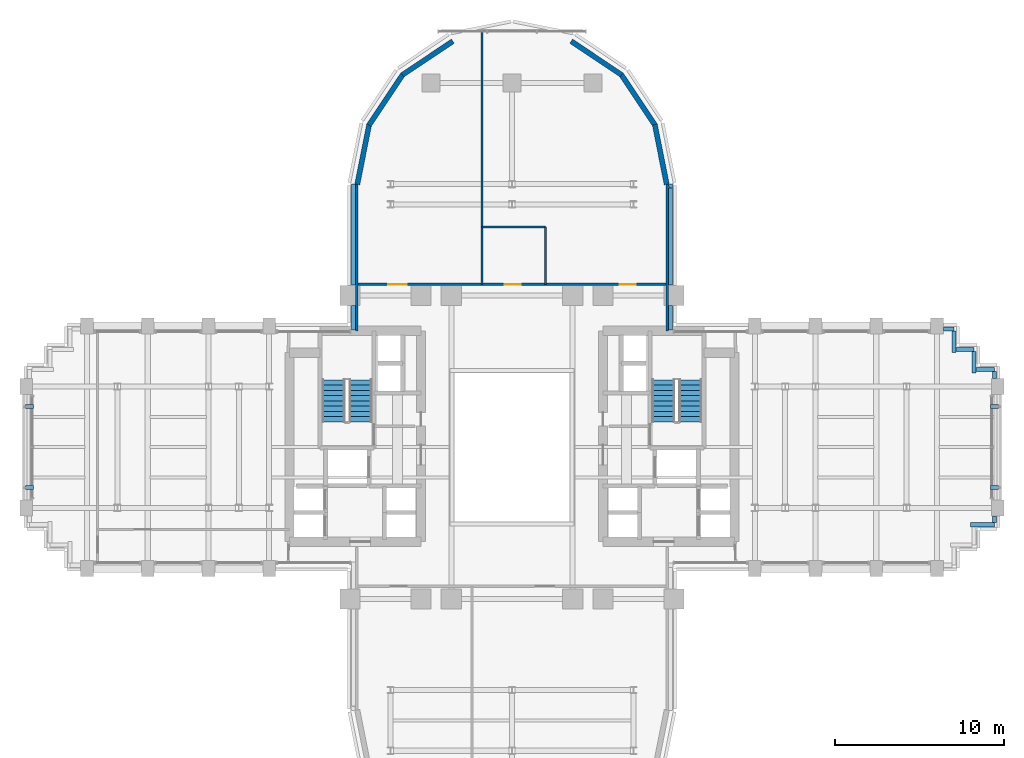
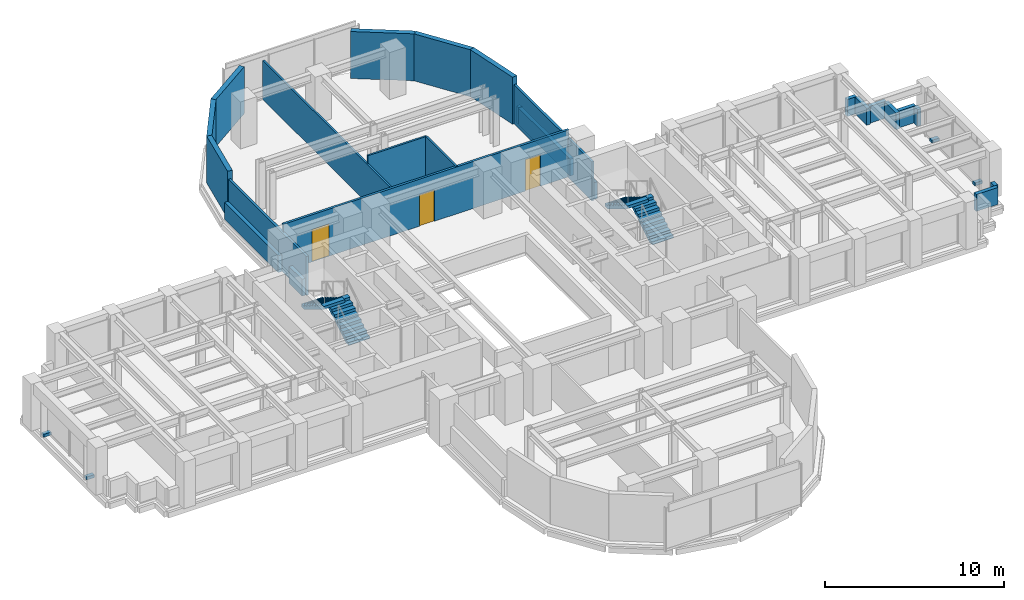
# One storey, part 12 of 16: 25 walls, 4 discrete accessories, 4 stair flights, 3 doors, 3 openings, 2 elements without a shape of their own.
"""IFC4 building model written with IfcOpenShell, lengths in metres."""

from ifc_helpers import new_model, si_unit, direction, frame, frame_2d, origin, origin_2d, place, context, subcontext, project, spatial, polyline, rectangle, outline, extrude, source, transform, mapped, material, layer, layer_set, type_object, element, fill, aggregate, save


model = new_model("IFC4")

# Units and contexts
model_context = context("Model", 3, precision=1e-05, world=origin(), true_north=direction((0.0, 1.0)))
body_context = subcontext(model_context, "Body", "Model", "MODEL_VIEW")
ifc_project = project(units=[si_unit("LENGTHUNIT", "METRE"), si_unit("AREAUNIT", "SQUARE_METRE"), si_unit("VOLUMEUNIT", "CUBIC_METRE"), si_unit("PLANEANGLEUNIT", "RADIAN"), si_unit("MASSUNIT", "GRAM", prefix="KILO")], contexts=[model_context])

# Site, building, storey
site_placement = place(None, origin())
site = spatial("IfcSite", under=ifc_project, at=site_placement, CompositionType="ELEMENT")
building_placement = place(site_placement, origin())
building = spatial("IfcBuilding", under=site, at=building_placement, Name="Keilestroom Media Tower", CompositionType="ELEMENT")
storey_placement = place(building_placement, frame((0.0, 0.0, 37.39990234375)))
storey = spatial("IfcBuildingStorey", under=building, at=storey_placement, Name="L08", CompositionType="ELEMENT", Elevation=37.39990234375)

# Walls
ifc_material_1 = material(Name="Precast concrete C40/50", Category="concrete")
ifc_layer_1 = layer(ifc_material_1, 0.300048828125)
ifc_layer_set_1 = layer_set([ifc_layer_1], Name="Precast concrete C40/50")
wall_type_1 = type_object("IfcWallType", Name="Exterior-Masonry-Spandrel-Wall-300", PredefinedType="SOLIDWALL", material=ifc_layer_set_1)
for number, where, z_axis, x_axis, name in (
    (1, (9.1748046875, 15.585205078125, 0.0), (0.0, 0.0, 1.0), (-0.195114232679, 0.980780523974, 0.0), "L08 Lobe Facet Precast Frame Wall 01"),
    (2, (8.48193359375, 19.097412109375, 0.0), (0.0, 0.0, 1.0), (-0.555574187116, 0.831466970246, 0.0), "L08 Lobe Facet Precast Frame Wall 02"),
):
    element("IfcWall", number, at=place(storey_placement, frame(where, z_axis=z_axis, x_axis=x_axis)), inside=storey, type_object=wall_type_1, Name=name, PredefinedType="SOLIDWALL", context=body_context, shape_type="SweptSolid", body=[
        extrude(rectangle(XDim=3.608642578125, YDim=0.300048828125, at=frame_2d((1.80419921875, 0.0))), origin(), (0.0, 0.0, 1.0), 3.2001953125),
    ])
for number, where, z_axis, x_axis, name in (
    (3, (6.497802734375, 22.0771484375, 0.0), (0.0, 0.0, 1.0), (-0.8314749531, 0.555562239868, 0.0), "L08 Lobe Facet Precast Frame Wall 03"),
    (4, (-3.510009765625, 24.073486328125, 0.0), (0.0, 0.0, 1.0), (-0.8314749531, -0.555562239868, 0.0), "L08 Lobe Facet Precast Frame Wall 04"),
):
    element("IfcWall", number, at=place(storey_placement, frame(where, z_axis=z_axis, x_axis=x_axis)), inside=storey, type_object=wall_type_1, Name=name, PredefinedType="SOLIDWALL", context=body_context, shape_type="SweptSolid", body=[
        extrude(rectangle(XDim=3.59326171875, YDim=0.300048828125, at=frame_2d((1.796630859375, 0.0))), origin(), (0.0, 0.0, 1.0), 3.2001953125),
    ])
for number, where, z_axis, x_axis, name in (
    (5, (-6.47705078125, 22.097900390625, 0.0), (0.0, 0.0, 1.0), (-0.555574187116, -0.831466970246, 0.0), "L08 Lobe Facet Precast Frame Wall 05"),
    (6, (-8.470703125, 19.12451171875, 0.0), (0.0, 0.0, 1.0), (-0.195114232679, -0.980780523974, 0.0), "L08 Lobe Facet Precast Frame Wall 06"),
):
    element("IfcWall", number, at=place(storey_placement, frame(where, z_axis=z_axis, x_axis=x_axis)), inside=storey, type_object=wall_type_1, Name=name, PredefinedType="SOLIDWALL", context=body_context, shape_type="SweptSolid", body=[
        extrude(rectangle(XDim=3.608642578125, YDim=0.300048828125, at=frame_2d((1.80419921875, 0.0))), origin(), (0.0, 0.0, 1.0), 3.2001953125),
    ])
ifc_material_2 = material(Name="Gypsum Plasterboard & Steel Stud", Category="steel")
ifc_layer_2 = layer(ifc_material_2, 0.1201171875)
ifc_layer_set_2 = layer_set([ifc_layer_2], Name="Gypsum Plasterboard & Steel Stud")
wall_type_2 = type_object("IfcWallType", Name="Interior-Partition-Wall-120", PredefinedType="PARTITIONING", material=ifc_layer_set_2)
wall_1_placement = place(storey_placement, frame((-1.780029296875, 9.64990234375, 0.0), z_axis=(0.0, 0.0, 1.0), x_axis=(0.0, 1.0, 0.0)))
element("IfcWall", 7, at=wall_1_placement, inside=storey, type_object=wall_type_2, Name="L08 Interior Wall WP-L08-NL-V1", PredefinedType="PARTITIONING", context=body_context, shape_type="SweptSolid", body=[
    extrude(rectangle(XDim=15.0, YDim=0.1201171875, at=frame_2d((7.5, 0.0))), origin(), (0.0, 0.0, 1.0), 2.650146484375),
])
wall_2_placement = place(storey_placement, frame((-1.780029296875, 13.050048828125, 0.0), z_axis=(0.0, 0.0, 1.0), x_axis=(1.0, 0.0, 0.0)))
element("IfcWall", 8, at=wall_2_placement, inside=storey, type_object=wall_type_2, Name="L08 Interior Wall WP-L08-NL-WC-N", PredefinedType="PARTITIONING", context=body_context, shape_type="SweptSolid", body=[
    extrude(rectangle(XDim=3.780029296875, YDim=0.1201171875, at=frame_2d((1.89013671875, 0.0))), origin(), (0.0, 0.0, 1.0), 3.2001953125),
])
wall_3_placement = place(storey_placement, frame((2.0, 9.64990234375, 0.0), z_axis=(0.0, 0.0, 1.0), x_axis=(0.0, 1.0, 0.0)))
element("IfcWall", 9, at=wall_3_placement, inside=storey, type_object=wall_type_2, Name="L08 Interior Wall WP-L08-NL-WC-E", PredefinedType="PARTITIONING", context=body_context, shape_type="SweptSolid", body=[
    extrude(rectangle(XDim=3.400146484375, YDim=0.1201171875, at=frame_2d((1.7001953125, 0.0))), origin(), (0.0, 0.0, 1.0), 3.2001953125),
])

# Wall, openings, doors
ifc_layer_3 = layer(ifc_material_2, 0.14990234375)
ifc_layer_set_3 = layer_set([ifc_layer_3], Name="Gypsum Plasterboard & Steel Stud")
wall_type_3 = type_object("IfcWallType", Name="Interior-Partition-Wall-150", PredefinedType="PARTITIONING", material=ifc_layer_set_3)
wall_4_placement = place(storey_placement, frame((-9.199951171875, 9.64990234375, 0.0), z_axis=(0.0, 0.0, 1.0), x_axis=(1.0, 0.0, 0.0)))
wall_4 = element("IfcWall", 10, at=wall_4_placement, inside=storey, type_object=wall_type_3, Name="L08 Interior Wall WP-L08-NL-BASE", PredefinedType="PARTITIONING", context=body_context, shape_type="SweptSolid", body=[
    extrude(rectangle(XDim=18.39990234375, YDim=0.14990234375, at=frame_2d((9.199951171875, 0.0))), origin(), (0.0, 0.0, 1.0), 3.2001953125),
])
opening_1_placement = place(wall_4_placement, frame((8.77001953125, 0.0, 0.0)))
opening_1 = element("IfcOpeningElement", 11, at=opening_1_placement, cuts=wall_4, Name="Opening DI-03", PredefinedType="OPENING", context=body_context, shape_type="SweptSolid", body=[
    extrude(rectangle(XDim=0.949951171875, YDim=2.14990234375, at=frame_2d((0.47509765625, 1.074951171875))), frame((0.0, 0.0849609375, 0.0), z_axis=(0.0, -1.0, 0.0), x_axis=(1.0, 0.0, 0.0)), (0.0, 0.0, 1.0), 0.169921875),
])
opening_2_placement = place(wall_4_placement, frame((1.85009765625, 0.0, 0.0)))
opening_2 = element("IfcOpeningElement", 12, at=opening_2_placement, cuts=wall_4, Name="Opening DI-04", PredefinedType="OPENING", context=body_context, shape_type="SweptSolid", body=[
    extrude(rectangle(XDim=1.10009765625, YDim=2.199951171875, at=frame_2d((0.550048828125, 1.10009765625))), frame((0.0, 0.0849609375, 0.0), z_axis=(0.0, -1.0, 0.0), x_axis=(1.0, 0.0, 0.0)), (0.0, 0.0, 1.0), 0.169921875),
])
opening_3_placement = place(wall_4_placement, frame((15.60009765625, 0.0, 0.0)))
opening_3 = element("IfcOpeningElement", 13, at=opening_3_placement, cuts=wall_4, Name="Opening DI-03", PredefinedType="OPENING", context=body_context, shape_type="SweptSolid", body=[
    extrude(rectangle(XDim=0.949951171875, YDim=2.14990234375, at=frame_2d((0.47509765625, 1.074951171875))), frame((0.0, 0.0849609375, 0.0), z_axis=(0.0, -1.0, 0.0), x_axis=(1.0, 0.0, 0.0)), (0.0, 0.0, 1.0), 0.169921875),
])
ifc_material_3 = material(Name="Lacquered European Oak Leaf", Category="wood")
door_type_1 = type_object("IfcDoorType", Name="Interior-Room-And-Suite-Door-DI-03", OperationType="NOTDEFINED", PredefinedType="DOOR", material=ifc_material_3)
shared_shape_1 = source(origin(), body_context, "Body", "SweptSolid", [
    extrude(rectangle(XDim=0.949951171875, YDim=2.14990234375, at=frame_2d((0.47509765625, 1.074951171875))), frame((0.0, 0.02490234375, 0.0), z_axis=(0.0, -1.0, 0.0), x_axis=(1.0, 0.0, 0.0)), (0.0, 0.0, 1.0), 0.050048828125),
])
door_1_placement = place(opening_1_placement, origin())
door_1 = element("IfcDoor", 14, at=door_1_placement, inside=storey, type_object=door_type_1, Name="L08 Interior Door DI-L08-DNL-WC", OperationType="SINGLE_SWING_RIGHT", OverallHeight=2.14990234375, OverallWidth=0.949951171875, PredefinedType="DOOR", context=body_context, shape_type="MappedRepresentation", body=[
    mapped(shared_shape_1, transform((0.0, 0.0, 0.0), x_axis=(1.0, 0.0, 0.0), y_axis=(0.0, 1.0, 0.0), z_axis=(0.0, 0.0, 1.0), scale=1.0)),
])
fill(opening_1, door_1)
door_2_placement = place(opening_3_placement, origin())
door_2 = element("IfcDoor", 15, at=door_2_placement, inside=storey, type_object=door_type_1, Name="L08 Interior Door DI-L08-DNL-B", OperationType="SINGLE_SWING_RIGHT", OverallHeight=2.14990234375, OverallWidth=0.949951171875, PredefinedType="DOOR", context=body_context, shape_type="MappedRepresentation", body=[
    mapped(shared_shape_1, transform((0.0, 0.0, 0.0), x_axis=(1.0, 0.0, 0.0), y_axis=(0.0, 1.0, 0.0), z_axis=(0.0, 0.0, 1.0), scale=1.0)),
])
fill(opening_3, door_2)
ifc_material_4 = material(Name="Acoustic Glazed Aluminium Leaf", Category="aluminium")
door_type_2 = type_object("IfcDoorType", Name="Interior-Room-And-Suite-Door-DI-04", OperationType="NOTDEFINED", PredefinedType="DOOR", material=ifc_material_4)
shared_shape_2 = source(origin(), body_context, "Body", "SweptSolid", [
    extrude(rectangle(XDim=1.10009765625, YDim=2.199951171875, at=frame_2d((0.550048828125, 1.10009765625))), frame((0.0, 0.02490234375, 0.0), z_axis=(0.0, -1.0, 0.0), x_axis=(1.0, 0.0, 0.0)), (0.0, 0.0, 1.0), 0.050048828125),
])
door_3_placement = place(opening_2_placement, origin())
door_3 = element("IfcDoor", 16, at=door_3_placement, inside=storey, type_object=door_type_2, Name="L08 Interior Door DI-L08-DNL-A", OperationType="SINGLE_SWING_LEFT", OverallHeight=2.199951171875, OverallWidth=1.10009765625, PredefinedType="DOOR", context=body_context, shape_type="MappedRepresentation", body=[
    mapped(shared_shape_2, transform((0.0, 0.0, 0.0), x_axis=(1.0, 0.0, 0.0), y_axis=(0.0, 1.0, 0.0), z_axis=(0.0, 0.0, 1.0), scale=1.0)),
])
fill(opening_2, door_3)

# Walls
for number, where, z_axis, x_axis, name in (
    (17, (-9.199951171875, 6.89990234375, 0.0), (0.0, 0.0, 1.0), (0.0, 1.0, 0.0), "L08 Interior Wall WP-L08-NL-CHKW"),
    (18, (9.199951171875, 6.89990234375, 0.0), (0.0, 0.0, 1.0), (0.0, 1.0, 0.0), "L08 Interior Wall WP-L08-NL-CHKE"),
):
    element("IfcWall", number, at=place(storey_placement, frame(where, z_axis=z_axis, x_axis=x_axis)), inside=storey, type_object=wall_type_3, Name=name, PredefinedType="PARTITIONING", context=body_context, shape_type="SweptSolid", body=[
        extrude(rectangle(XDim=8.780029296875, YDim=0.14990234375, at=frame_2d((4.39013671875, 0.0))), origin(), (0.0, 0.0, 1.0), 2.650146484375),
    ])
ifc_layer_4 = layer(ifc_material_1, 0.239990234375)
ifc_layer_set_4 = layer_set([ifc_layer_4], Name="Precast concrete C40/50")
wall_type_4 = type_object("IfcWallType", Name="Roof-And-Terrace-Parapet-Wall-240", PredefinedType="PARAPET", material=ifc_layer_set_4)
wall_5_placement = place(storey_placement, frame((28.60009765625, -4.60009765625, 0.0), z_axis=(0.0, 0.0, 1.0), x_axis=(-1.0, 0.0, 0.0)))
element("IfcWall", 19, at=wall_5_placement, inside=storey, type_object=wall_type_4, Name="L08 Perimeter Edge Parapet Wall 01", PredefinedType="PARAPET", context=body_context, shape_type="SweptSolid", body=[
    extrude(rectangle(XDim=1.400146484375, YDim=0.239990234375, at=frame_2d((0.7001953125, 0.0))), origin(), (0.0, 0.0, 1.0), 1.150146484375),
])
wall_6_placement = place(storey_placement, frame((-9.39990234375, 6.952880859375, 0.0), z_axis=(0.0, 0.0, 1.0), x_axis=(0.0, 1.0, 0.0)))
element("IfcWall", 20, at=wall_6_placement, inside=storey, type_object=wall_type_4, Name="L08 Perimeter Edge Parapet Wall 24", PredefinedType="PARAPET", context=body_context, shape_type="SweptSolid", body=[
    extrude(rectangle(XDim=1.444091796875, YDim=0.239990234375, at=frame_2d((0.72216796875, 0.0))), origin(), (0.0, 0.0, 1.0), 1.150146484375),
])
wall_7_placement = place(storey_placement, frame((-9.39990234375, 9.60302734375, 0.0), z_axis=(0.0, 0.0, 1.0), x_axis=(0.0, 1.0, 0.0)))
element("IfcWall", 21, at=wall_7_placement, inside=storey, type_object=wall_type_4, Name="L08 Perimeter Edge Parapet Wall 25", PredefinedType="PARAPET", context=body_context, shape_type="SweptSolid", body=[
    extrude(rectangle(XDim=5.999755859375, YDim=0.239990234375, at=frame_2d((3.0, 0.0))), origin(), (0.0, 0.0, 1.0), 1.150146484375),
])
wall_8_placement = place(storey_placement, frame((9.395263671875, 15.604248046875, 0.0), z_axis=(0.0, 0.0, 1.0), x_axis=(0.194652052864, -0.980872355771, 0.0)))
element("IfcWall", 22, at=wall_8_placement, inside=storey, type_object=wall_type_4, Name="L08 Perimeter Edge Parapet Wall 26", PredefinedType="PARAPET", context=body_context, shape_type="SweptSolid", body=[
    extrude(rectangle(XDim=0.224609375, YDim=0.239990234375, at=frame_2d((0.1123046875, 0.0))), origin(), (0.0, 0.0, 1.0), 1.150146484375),
])
wall_9_placement = place(storey_placement, frame((9.39990234375, 15.357666015625, 0.0), z_axis=(0.0, 0.0, 1.0), x_axis=(0.0, -1.0, 0.0)))
element("IfcWall", 23, at=wall_9_placement, inside=storey, type_object=wall_type_4, Name="L08 Perimeter Edge Parapet Wall 27", PredefinedType="PARAPET", context=body_context, shape_type="SweptSolid", body=[
    extrude(rectangle(XDim=5.754638671875, YDim=0.239990234375, at=frame_2d((2.87744140625, 0.0))), origin(), (0.0, 0.0, 1.0), 1.150146484375),
])
wall_10_placement = place(storey_placement, frame((9.39990234375, 8.39697265625, 0.0), z_axis=(0.0, 0.0, 1.0), x_axis=(0.0, -1.0, 0.0)))
element("IfcWall", 24, at=wall_10_placement, inside=storey, type_object=wall_type_4, Name="L08 Perimeter Edge Parapet Wall 28", PredefinedType="PARAPET", context=body_context, shape_type="SweptSolid", body=[
    extrude(rectangle(XDim=1.444091796875, YDim=0.239990234375, at=frame_2d((0.72216796875, 0.0))), origin(), (0.0, 0.0, 1.0), 1.150146484375),
])
wall_11_placement = place(storey_placement, frame((25.577880859375, 7.0, 0.0), z_axis=(0.0, 0.0, 1.0), x_axis=(1.0, 0.0, 0.0)))
element("IfcWall", 25, at=wall_11_placement, inside=storey, type_object=wall_type_4, Name="L08 Perimeter Edge Parapet Wall 29", PredefinedType="PARAPET", context=body_context, shape_type="SweptSolid", body=[
    extrude(rectangle(XDim=0.6220703125, YDim=0.239990234375, at=frame_2d((0.31103515625, 0.0))), origin(), (0.0, 0.0, 1.0), 1.150146484375),
])
wall_12_placement = place(storey_placement, frame((26.199951171875, 6.876953125, 0.0), z_axis=(0.0, 0.0, 1.0), x_axis=(0.0, -1.0, 0.0)))
element("IfcWall", 26, at=wall_12_placement, inside=storey, type_object=wall_type_4, Name="L08 Perimeter Edge Parapet Wall 30", PredefinedType="PARAPET", context=body_context, shape_type="SweptSolid", body=[
    extrude(rectangle(XDim=1.27685546875, YDim=0.239990234375, at=frame_2d((0.638427734375, 0.0))), origin(), (0.0, 0.0, 1.0), 1.150146484375),
])
wall_13_placement = place(storey_placement, frame((26.322998046875, 5.800048828125, 0.0), z_axis=(0.0, 0.0, 1.0), x_axis=(1.0, 0.0, 0.0)))
element("IfcWall", 27, at=wall_13_placement, inside=storey, type_object=wall_type_4, Name="L08 Perimeter Edge Parapet Wall 31", PredefinedType="PARAPET", context=body_context, shape_type="SweptSolid", body=[
    extrude(rectangle(XDim=1.076904296875, YDim=0.239990234375, at=frame_2d((0.53857421875, 0.0))), origin(), (0.0, 0.0, 1.0), 1.150146484375),
])
wall_14_placement = place(storey_placement, frame((27.39990234375, 5.677001953125, 0.0), z_axis=(0.0, 0.0, 1.0), x_axis=(0.0, -1.0, 0.0)))
element("IfcWall", 28, at=wall_14_placement, inside=storey, type_object=wall_type_4, Name="L08 Perimeter Edge Parapet Wall 32", PredefinedType="PARAPET", context=body_context, shape_type="SweptSolid", body=[
    extrude(rectangle(XDim=1.277099609375, YDim=0.239990234375, at=frame_2d((0.638671875, 0.0))), origin(), (0.0, 0.0, 1.0), 1.150146484375),
])
wall_15_placement = place(storey_placement, frame((27.52294921875, 4.60009765625, 0.0), z_axis=(0.0, 0.0, 1.0), x_axis=(1.0, 0.0, 0.0)))
element("IfcWall", 29, at=wall_15_placement, inside=storey, type_object=wall_type_4, Name="L08 Perimeter Edge Parapet Wall 33", PredefinedType="PARAPET", context=body_context, shape_type="SweptSolid", body=[
    extrude(rectangle(XDim=1.0771484375, YDim=0.239990234375, at=frame_2d((0.53857421875, 0.0))), origin(), (0.0, 0.0, 1.0), 1.150146484375),
])
for number, where, z_axis, x_axis, name in (
    (30, (28.60009765625, 4.47705078125, 0.0), (0.0, 0.0, 1.0), (0.0, -1.0, 0.0), "L08 Perimeter Edge Parapet Wall 34"),
    (31, (28.60009765625, -4.077880859375, 0.0), (0.0, 0.0, 1.0), (0.0, -1.0, 0.0), "L08 Perimeter Edge Parapet Wall 35"),
):
    element("IfcWall", number, at=place(storey_placement, frame(where, z_axis=z_axis, x_axis=x_axis)), inside=storey, type_object=wall_type_4, Name=name, PredefinedType="PARAPET", context=body_context, shape_type="SweptSolid", body=[
        extrude(rectangle(XDim=0.399169921875, YDim=0.239990234375, at=frame_2d((0.19970703125, 0.0))), origin(), (0.0, 0.0, 1.0), 1.150146484375),
    ])

# Stair, stair flights
ifc_material_5 = material(Name="Concrete C45/55", Category="concrete")
stair_type = type_object("IfcStairType", Name="Enclosed-Dog-Leg-Stair-ST-CORE", PredefinedType="HALF_TURN_STAIR", material=ifc_material_5)
stair_1_placement = place(storey_placement, origin())
stair_1 = element("IfcStair", 32, at=stair_1_placement, inside=storey, type_object=stair_type, Name="L08 West Core Escape Stair ST-1", PredefinedType="HALF_TURN_STAIR")
stair_flight_type = type_object("IfcStairFlightType", Name="Precast-Concrete-Stair-Flight-Core-160", PredefinedType="STRAIGHT", material=ifc_material_1)
stair_flight_1_placement = place(storey_placement, frame((-8.97998046875, 1.5, 0.0), z_axis=(0.0, 0.0, 1.0), x_axis=(0.0, 1.0, 0.0)))
stair_flight_1 = element("IfcStairFlight", 33, at=stair_flight_1_placement, type_object=stair_flight_type, Name="ST-1 flight 1", NumberOfRisers=9, NumberOfTreads=8, PredefinedType="STRAIGHT", RiserHeight=0.188888889, TreadLength=0.312, context=body_context, shape_type="SweptSolid", body=[
    extrude(outline(polyline([(0.0, 0.0), (0.0, 0.18896484375), (0.31201171875, 0.18896484375), (0.31201171875, 0.377685546875), (0.6240234375, 0.377685546875), (0.6240234375, 0.566650390625), (0.93603515625, 0.566650390625), (0.93603515625, 0.755615234375), (1.248046875, 0.755615234375), (1.248046875, 0.9443359375), (1.56005859375, 0.9443359375), (1.56005859375, 1.13330078125), (1.8720703125, 1.13330078125), (1.8720703125, 1.322265625), (2.18408203125, 1.322265625), (2.18408203125, 1.51123046875), (2.49609375, 1.51123046875), (2.49609375, 1.699951171875), (2.49609375, 1.32421875), (0.308837890625, 0.0), (0.0, 0.0)])), frame((0.0, 0.68017578125, 0.0), z_axis=(0.0, -1.0, 0.0), x_axis=(1.0, 0.0, 0.0)), (0.0, 0.0, 1.0), 1.360107421875),
])
stair_flight_2_placement = place(storey_placement, frame((-10.580078125, 3.99609375, 1.7001953125), z_axis=(0.0, 0.0, 1.0), x_axis=(0.0, -1.0, 0.0)))
stair_flight_2 = element("IfcStairFlight", 34, at=stair_flight_2_placement, type_object=stair_flight_type, Name="ST-1 flight 2", NumberOfRisers=9, NumberOfTreads=8, PredefinedType="STRAIGHT", RiserHeight=0.188888889, TreadLength=0.312, context=body_context, shape_type="SweptSolid", body=[
    extrude(outline(polyline([(0.0, 0.0), (0.0, 0.18896484375), (0.31201171875, 0.18896484375), (0.31201171875, 0.377685546875), (0.6240234375, 0.377685546875), (0.6240234375, 0.566650390625), (0.93603515625, 0.566650390625), (0.93603515625, 0.755615234375), (1.248046875, 0.755615234375), (1.248046875, 0.9443359375), (1.56005859375, 0.9443359375), (1.56005859375, 1.13330078125), (1.8720703125, 1.13330078125), (1.8720703125, 1.322265625), (2.18408203125, 1.322265625), (2.18408203125, 1.51123046875), (2.49609375, 1.51123046875), (2.49609375, 1.699951171875), (2.49609375, 1.32421875), (0.308837890625, 0.0), (0.0, 0.0)])), frame((0.0, 0.68017578125, 0.0), z_axis=(0.0, -1.0, 0.0), x_axis=(1.0, 0.0, 0.0)), (0.0, 0.0, 1.0), 1.360107421875),
])
aggregate(stair_1, [stair_flight_1, stair_flight_2])

stair_2_placement = place(storey_placement, origin())
stair_2 = element("IfcStair", 35, at=stair_2_placement, inside=storey, type_object=stair_type, Name="L08 East Core Escape Stair ST-2", PredefinedType="HALF_TURN_STAIR")
stair_flight_3_placement = place(storey_placement, frame((10.580078125, 1.5, 0.0), z_axis=(0.0, 0.0, 1.0), x_axis=(0.0, 1.0, 0.0)))
stair_flight_3 = element("IfcStairFlight", 36, at=stair_flight_3_placement, type_object=stair_flight_type, Name="ST-2 flight 1", NumberOfRisers=9, NumberOfTreads=8, PredefinedType="STRAIGHT", RiserHeight=0.188888889, TreadLength=0.312, context=body_context, shape_type="SweptSolid", body=[
    extrude(outline(polyline([(0.0, 0.0), (0.0, 0.18896484375), (0.31201171875, 0.18896484375), (0.31201171875, 0.377685546875), (0.6240234375, 0.377685546875), (0.6240234375, 0.566650390625), (0.93603515625, 0.566650390625), (0.93603515625, 0.755615234375), (1.248046875, 0.755615234375), (1.248046875, 0.9443359375), (1.56005859375, 0.9443359375), (1.56005859375, 1.13330078125), (1.8720703125, 1.13330078125), (1.8720703125, 1.322265625), (2.18408203125, 1.322265625), (2.18408203125, 1.51123046875), (2.49609375, 1.51123046875), (2.49609375, 1.699951171875), (2.49609375, 1.32421875), (0.308837890625, 0.0), (0.0, 0.0)])), frame((0.0, 0.68017578125, 0.0), z_axis=(0.0, -1.0, 0.0), x_axis=(1.0, 0.0, 0.0)), (0.0, 0.0, 1.0), 1.360107421875),
])
stair_flight_4_placement = place(storey_placement, frame((8.97998046875, 3.99609375, 1.7001953125), z_axis=(0.0, 0.0, 1.0), x_axis=(0.0, -1.0, 0.0)))
stair_flight_4 = element("IfcStairFlight", 37, at=stair_flight_4_placement, type_object=stair_flight_type, Name="ST-2 flight 2", NumberOfRisers=9, NumberOfTreads=8, PredefinedType="STRAIGHT", RiserHeight=0.188888889, TreadLength=0.312, context=body_context, shape_type="SweptSolid", body=[
    extrude(outline(polyline([(0.0, 0.0), (0.0, 0.18896484375), (0.31201171875, 0.18896484375), (0.31201171875, 0.377685546875), (0.6240234375, 0.377685546875), (0.6240234375, 0.566650390625), (0.93603515625, 0.566650390625), (0.93603515625, 0.755615234375), (1.248046875, 0.755615234375), (1.248046875, 0.9443359375), (1.56005859375, 0.9443359375), (1.56005859375, 1.13330078125), (1.8720703125, 1.13330078125), (1.8720703125, 1.322265625), (2.18408203125, 1.322265625), (2.18408203125, 1.51123046875), (2.49609375, 1.51123046875), (2.49609375, 1.699951171875), (2.49609375, 1.32421875), (0.308837890625, 0.0), (0.0, 0.0)])), frame((0.0, 0.68017578125, 0.0), z_axis=(0.0, -1.0, 0.0), x_axis=(1.0, 0.0, 0.0)), (0.0, 0.0, 1.0), 1.360107421875),
])
aggregate(stair_2, [stair_flight_3, stair_flight_4])

# Discrete accessories
ifc_material_6 = material(Name="Stainless Steel 1.4401", Category="steel")
discrete_accessory_type = type_object("IfcDiscreteAccessoryType", Name="Facade-Fin-Fixing-Bracket-BRK-1", PredefinedType="BRACKET", material=ifc_material_6)
shared_shape_3 = source(origin(), body_context, "Body", "SweptSolid", [
    extrude(rectangle(XDim=0.47998046875, YDim=0.239990234375, at=origin_2d()), origin(), (0.0, 0.0, 1.0), 0.199951171875),
])
for number, where, z_axis, x_axis, name in (
    (38, (-28.610107421875, -2.39990234375, -0.009765625), (0.0, 0.0, 1.0), (1.0, 0.0, 0.0), "L08 Sunshade Fin Bracket BRK-1 005"),
    (39, (-28.610107421875, 2.39990234375, -0.009765625), (0.0, 0.0, 1.0), (1.0, 0.0, 0.0), "L08 Sunshade Fin Bracket BRK-1 006"),
    (40, (28.610107421875, -2.39990234375, -0.009765625), (0.0, 0.0, 1.0), (1.0, 0.0, 0.0), "L08 Sunshade Fin Bracket BRK-1 007"),
    (41, (28.610107421875, 2.39990234375, -0.009765625), (0.0, 0.0, 1.0), (1.0, 0.0, 0.0), "L08 Sunshade Fin Bracket BRK-1 008"),
):
    element("IfcDiscreteAccessory", number, at=place(storey_placement, frame(where, z_axis=z_axis, x_axis=x_axis)), inside=storey, type_object=discrete_accessory_type, Name=name, PredefinedType="BRACKET", context=body_context, shape_type="MappedRepresentation", body=[
        mapped(shared_shape_3, transform((0.0, 0.0, 0.0), x_axis=(1.0, 0.0, 0.0), y_axis=(0.0, 1.0, 0.0), z_axis=(0.0, 0.0, 1.0), scale=1.0)),
    ])

save(model, "model.ifc")
